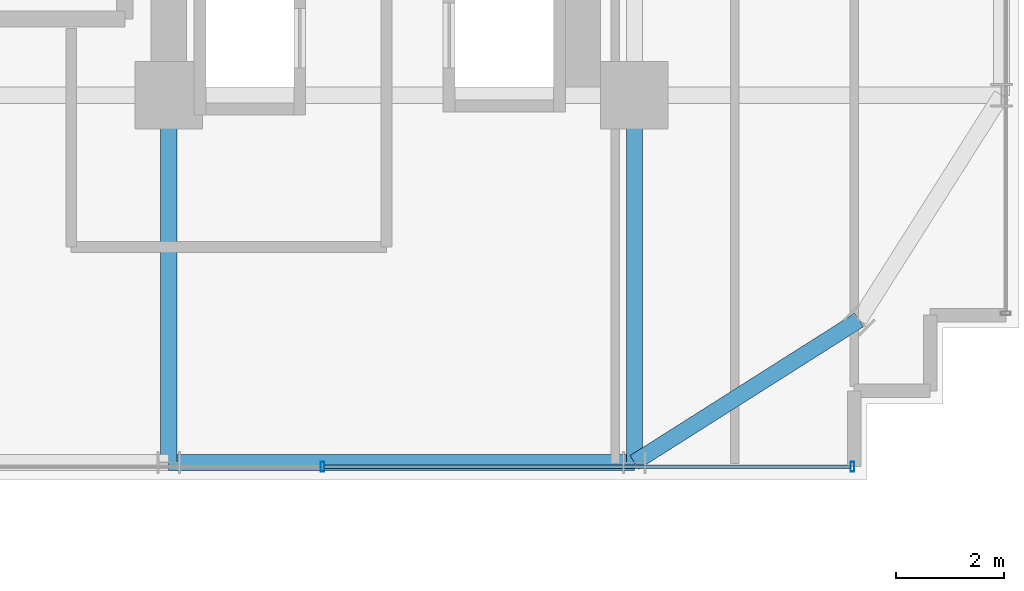
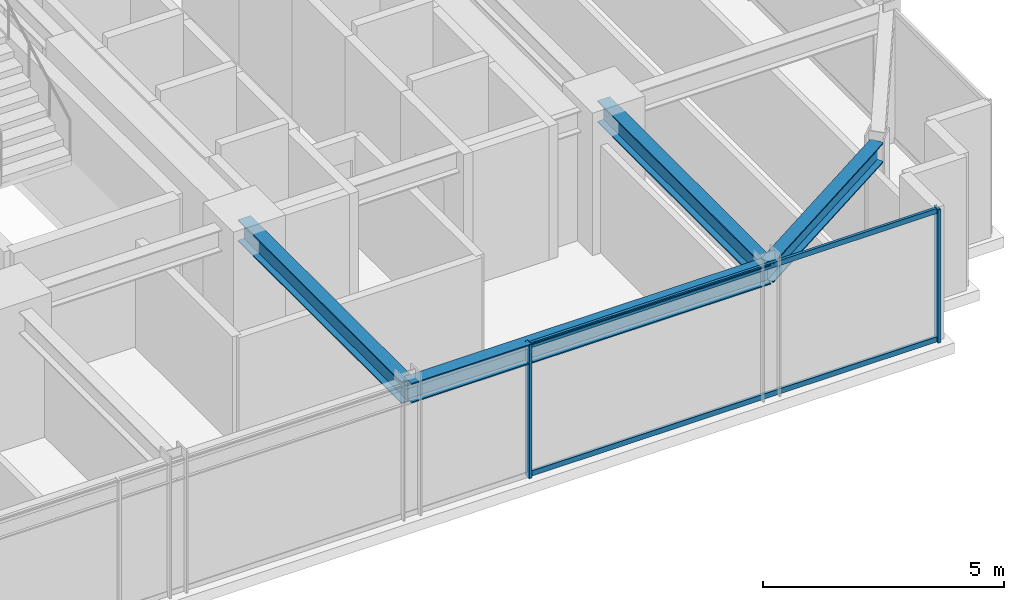
# One storey, part 11 of 32: 4 beams, 4 members, 1 element without a shape of its own.
"""IFC4 building model written with IfcOpenShell, lengths in metres."""

from ifc_helpers import new_model, si_unit, direction, frame, origin, origin_2d, place, context, subcontext, project, spatial, hollow_rectangle, i_section, extrude, source, transform, mapped, material, material_profile, profile_set, type_object, element, aggregate, save


model = new_model("IFC4")

# Units and contexts
model_context = context("Model", 3, precision=1e-05, world=origin(), true_north=direction((0.0, 1.0)))
body_context = subcontext(model_context, "Body", "Model", "MODEL_VIEW")
ifc_project = project(units=[si_unit("LENGTHUNIT", "METRE"), si_unit("AREAUNIT", "SQUARE_METRE"), si_unit("VOLUMEUNIT", "CUBIC_METRE"), si_unit("PLANEANGLEUNIT", "RADIAN"), si_unit("MASSUNIT", "GRAM", prefix="KILO")], contexts=[model_context])

# Site, building, storey
site_placement = place(None, origin())
site = spatial("IfcSite", under=ifc_project, at=site_placement, CompositionType="ELEMENT")
building_placement = place(site_placement, origin())
building = spatial("IfcBuilding", under=site, at=building_placement, Name="Nahalor Promenade Grand Hotel", CompositionType="ELEMENT")
storey_placement = place(building_placement, frame((0.0, 0.0, 102.89990234375)))
storey = spatial("IfcBuildingStorey", under=building, at=storey_placement, Name="L25", CompositionType="ELEMENT", Elevation=102.89990234375)

# Beams
ifc_material_1 = material(Name="Steel S355JR", Category="steel")
ifc_material_profile_1 = material_profile(ifc_material_1, i_section(OverallWidth=0.3, OverallDepth=0.5, WebThickness=0.0145, FlangeThickness=0.028, at=origin_2d()), Name="HEB 500")
ifc_profile_set_1 = profile_set([ifc_material_profile_1], Name="Steel S355JR")
beam_type_1 = type_object("IfcBeamType", Name="Beam-Spandrel-HEB500", PredefinedType="SPANDREL", material=ifc_profile_set_1)
shared_shape_1 = source(origin(), body_context, "Body", "SweptSolid", [
    extrude(i_section(OverallWidth=0.3, OverallDepth=0.5, WebThickness=0.0145, FlangeThickness=0.028, at=origin_2d()), origin(), (0.0, 0.0, 1.0), 8.60009765625),
])
beam_1_placement = place(storey_placement, frame((8.39990234375, -23.780029296875, 3.130126953125), z_axis=(1.0, 0.0, 0.0), x_axis=(0.0, 1.0, 0.0)))
element("IfcBeam", 1, at=beam_1_placement, inside=storey, type_object=beam_type_1, Name="BM-L25-SP-S-4", PredefinedType="SPANDREL", context=body_context, shape_type="MappedRepresentation", body=[
    mapped(shared_shape_1, transform((0.0, 0.0, 0.0), scale=1.0)),
])
shared_shape_2 = source(origin(), body_context, "Body", "SweptSolid", [
    extrude(i_section(OverallWidth=0.3, OverallDepth=0.5, WebThickness=0.0145, FlangeThickness=0.028, at=origin_2d()), origin(), (0.0, 0.0, 1.0), 4.9130859375),
])
beam_2_placement = place(storey_placement, frame((17.0, -23.780029296875, 3.130126953125), z_axis=(0.844648325505, 0.535321591403, 0.0), x_axis=(-0.535321591403, 0.844648325505, 0.0)))
element("IfcBeam", 2, at=beam_2_placement, inside=storey, type_object=beam_type_1, Name="BM-L25-SPC-SE-1", PredefinedType="SPANDREL", context=body_context, shape_type="MappedRepresentation", body=[
    mapped(shared_shape_2, transform((0.0, 0.0, 0.0), scale=1.0)),
])
ifc_material_profile_2 = material_profile(ifc_material_1, i_section(OverallWidth=0.3, OverallDepth=0.55, WebThickness=0.015, FlangeThickness=0.029, at=origin_2d()), Name="HEB 550")
ifc_profile_set_2 = profile_set([ifc_material_profile_2], Name="Steel S355JR")
beam_type_2 = type_object("IfcBeamType", Name="Beam-Girder-HEB550", PredefinedType="BEAM", material=ifc_profile_set_2)
shared_shape_3 = source(origin(), body_context, "Body", "SweptSolid", [
    extrude(i_section(OverallWidth=0.3, OverallDepth=0.55, WebThickness=0.015, FlangeThickness=0.029, at=origin_2d()), origin(), (0.0, 0.0, 1.0), 6.780029296875),
])
for number, where, z_axis, x_axis, name in (
    (3, (8.39990234375, -23.780029296875, 3.10498046875), (0.0, 1.0, 0.0), (-1.0, 0.0, 0.0), "BM-L25-GY-4-0"),
    (4, (17.0, -23.780029296875, 3.10498046875), (0.0, 1.0, 0.0), (-1.0, 0.0, 0.0), "BM-L25-GY-5-0"),
):
    element("IfcBeam", number, at=place(storey_placement, frame(where, z_axis=z_axis, x_axis=x_axis)), inside=storey, type_object=beam_type_2, Name=name, PredefinedType="BEAM", context=body_context, shape_type="MappedRepresentation", body=[
        mapped(shared_shape_3, transform((0.0, 0.0, 0.0), scale=1.0)),
    ])

# Curtain wall, members
ifc_material_2 = material(Name="Anodised Bronze Aluminium EN AW-6063 T6", Category="aluminium")
curtain_wall_type = type_object("IfcCurtainWallType", Name="CW2 Typical Hotel Flush Bronze Unitised Curtain Wall", PredefinedType="USERDEFINED", material=ifc_material_2)
curtain_wall_placement = place(storey_placement, origin())
curtain_wall = element("IfcCurtainWall", 5, at=curtain_wall_placement, inside=storey, type_object=curtain_wall_type, Name="L25 Curtain Wall CW-L25-S-3", ObjectType="UNITISED_CURTAIN_WALL", PredefinedType="USERDEFINED")
ifc_material_profile_3 = material_profile(ifc_material_2, hollow_rectangle(XDim=0.065, YDim=0.13, WallThickness=0.004, at=origin_2d()), Name="CWT 65x130x4")
ifc_profile_set_3 = profile_set([ifc_material_profile_3], Name="Anodised Bronze Aluminium EN AW-6063 T6")
member_type_1 = type_object("IfcMemberType", Name="CWT2 Typical Bronze Transom 65x130", PredefinedType="USERDEFINED", material=ifc_profile_set_3)
shared_shape_4 = source(origin(), body_context, "Body", "SweptSolid", [
    extrude(hollow_rectangle(XDim=0.065, YDim=0.13, WallThickness=0.004, at=origin_2d()), origin(), (0.0, 0.0, 1.0), 9.72265625),
])
member_1_placement = place(storey_placement, frame((11.2724609375, -23.860107421875, 0.065185546875), z_axis=(1.0, 0.0, 0.0), x_axis=(0.0, 1.0, 0.0)))
member_1 = element("IfcMember", 6, at=member_1_placement, type_object=member_type_1, Name="CW-L25-S-3 Transom 2-0", ObjectType="TRANSOM", PredefinedType="USERDEFINED", context=body_context, shape_type="MappedRepresentation", body=[
    mapped(shared_shape_4, transform((0.0, 0.0, 0.0), scale=1.0)),
])
member_2_placement = place(storey_placement, frame((11.2724609375, -23.860107421875, 3.315185546875), z_axis=(1.0, 0.0, 0.0), x_axis=(0.0, 1.0, 0.0)))
member_2 = element("IfcMember", 7, at=member_2_placement, type_object=member_type_1, Name="CW-L25-S-3 Transom 2-1", ObjectType="TRANSOM", PredefinedType="USERDEFINED", context=body_context, shape_type="MappedRepresentation", body=[
    mapped(shared_shape_4, transform((0.0, 0.0, 0.0), scale=1.0)),
])
ifc_material_profile_4 = material_profile(ifc_material_2, hollow_rectangle(XDim=0.065, YDim=0.18, WallThickness=0.004, at=origin_2d()), Name="CWM 65x180x4")
ifc_profile_set_4 = profile_set([ifc_material_profile_4], Name="Anodised Bronze Aluminium EN AW-6063 T6")
member_type_2 = type_object("IfcMemberType", Name="CWM2 Typical Bronze Mullion 65x180", PredefinedType="MULLION", material=ifc_profile_set_4)
shared_shape_5 = source(origin(), body_context, "Body", "SweptSolid", [
    extrude(hollow_rectangle(XDim=0.065, YDim=0.18, WallThickness=0.004, at=origin_2d()), origin(), (0.0, 0.0, 1.0), 3.380126953125),
])
member_3_placement = place(storey_placement, frame((11.239990234375, -23.860107421875, 0.0), z_axis=(0.0, 0.0, 1.0), x_axis=(1.0, 0.0, 0.0)))
member_3 = element("IfcMember", 8, at=member_3_placement, type_object=member_type_2, Name="CW-L25-S-3 Mullion 2", PredefinedType="MULLION", context=body_context, shape_type="MappedRepresentation", body=[
    mapped(shared_shape_5, transform((0.0, 0.0, 0.0), scale=1.0)),
])
member_4_placement = place(storey_placement, frame((21.027587890625, -23.860107421875, 0.0), z_axis=(0.0, 0.0, 1.0), x_axis=(1.0, 0.0, 0.0)))
member_4 = element("IfcMember", 9, at=member_4_placement, type_object=member_type_2, Name="CW-L25-S-3 Mullion 3", PredefinedType="MULLION", context=body_context, shape_type="MappedRepresentation", body=[
    mapped(shared_shape_5, transform((0.0, 0.0, 0.0), scale=1.0)),
])
aggregate(curtain_wall, [member_3, member_4, member_1, member_2])

save(model, "model.ifc")
